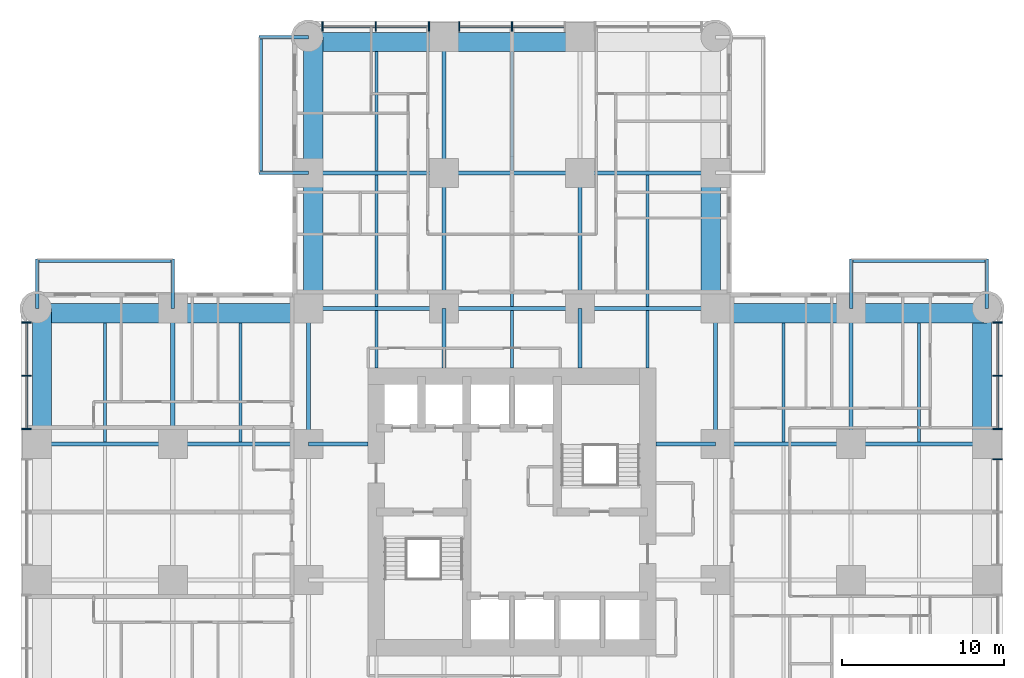
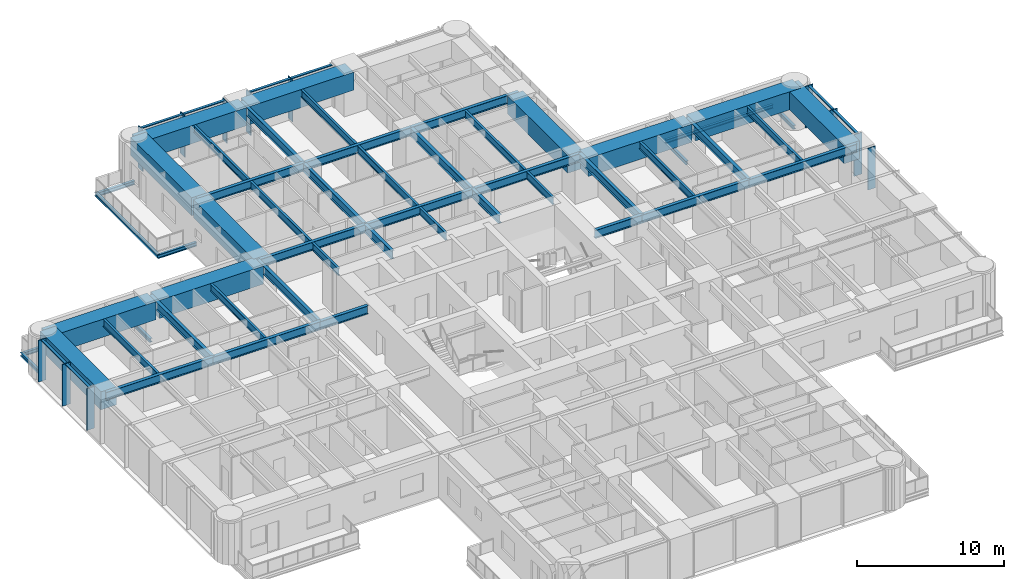
# One storey, part 4 of 17: 53 beams, 20 members, 3 elements without a shape of their own.
"""IFC4 building model written with IfcOpenShell, lengths in metres."""

from ifc_helpers import new_model, si_unit, direction, frame, origin, origin_2d, place, context, subcontext, project, spatial, rectangle, i_section, extrude, material, material_profile, profile_set, type_object, element, aggregate, save


model = new_model("IFC4")

# Units and contexts
model_context = context("Model", 3, precision=1e-05, world=origin(), true_north=direction((0.0, 1.0)))
body_context = subcontext(model_context, "Body", "Model", "MODEL_VIEW")
ifc_project = project(units=[si_unit("LENGTHUNIT", "METRE"), si_unit("AREAUNIT", "SQUARE_METRE"), si_unit("VOLUMEUNIT", "CUBIC_METRE"), si_unit("PLANEANGLEUNIT", "RADIAN"), si_unit("MASSUNIT", "GRAM", prefix="KILO")], contexts=[model_context])

# Site, building, storey
site_placement = place(None, origin())
site = spatial("IfcSite", under=ifc_project, at=site_placement, CompositionType="ELEMENT")
building_placement = place(site_placement, origin())
building = spatial("IfcBuilding", under=site, at=building_placement, Name="Torre Alcanfor", CompositionType="ELEMENT")
storey_placement = place(building_placement, frame((0.0, 0.0, 81.300048828125)))
storey = spatial("IfcBuildingStorey", under=building, at=storey_placement, Name="L20", CompositionType="ELEMENT", Elevation=81.300048828125)

# Beams
ifc_material_1 = material(Name="Steel ASTM A992 Grade 50", Category="steel")
ifc_material_profile_1 = material_profile(ifc_material_1, i_section(OverallWidth=0.205322265625, OverallDepth=0.309814453125, WebThickness=0.00927734375, FlangeThickness=0.016357421875, at=origin_2d()), Name="W12x50")
ifc_profile_set_1 = profile_set([ifc_material_profile_1], Name="Steel ASTM A992 Grade 50")
beam_type_1 = type_object("IfcBeamType", Name="Balcony cantilever beam W12x50", PredefinedType="BEAM", material=ifc_profile_set_1)
for number, where, z_axis, x_axis, name in (
    (1, (16.800048828125, 50.39990234375, -0.35498046875), (-1.0, 0.0, 0.0), (0.0, -1.0, 0.0), "Balcony cantilever beam L20-N1 1"),
    (2, (16.800048828125, 58.800048828125, -0.35498046875), (-1.0, 0.0, 0.0), (0.0, -1.0, 0.0), "Balcony cantilever beam L20-N1 2"),
    (3, (50.39990234375, 42.0, -0.35498046875), (0.0, 1.0, 0.0), (-1.0, 0.0, 0.0), "Balcony cantilever beam L20-E1 1"),
    (4, (58.800048828125, 42.0, -0.35498046875), (0.0, 1.0, 0.0), (-1.0, 0.0, 0.0), "Balcony cantilever beam L20-E1 2"),
    (5, (8.39990234375, 42.0, -0.35498046875), (0.0, 1.0, 0.0), (-1.0, 0.0, 0.0), "Balcony cantilever beam L20-W2 1"),
    (6, (0.0, 42.0, -0.35498046875), (0.0, 1.0, 0.0), (-1.0, 0.0, 0.0), "Balcony cantilever beam L20-W2 2"),
):
    element("IfcBeam", number, at=place(storey_placement, frame(where, z_axis=z_axis, x_axis=x_axis)), inside=storey, type_object=beam_type_1, Name=name, PredefinedType="BEAM", context=body_context, shape_type="SweptSolid", body=[
        extrude(i_section(OverallWidth=0.205322265625, OverallDepth=0.309814453125, WebThickness=0.00927734375, FlangeThickness=0.016357421875, at=origin_2d()), origin(), (0.0, 0.0, 1.0), 3.050048828125),
    ])
ifc_material_2 = material(Name="Steel ASTM A992 Grade 50", Category="steel")
ifc_material_profile_2 = material_profile(ifc_material_2, i_section(OverallWidth=0.203369140625, OverallDepth=0.30224609375, WebThickness=0.007568359375, FlangeThickness=0.01318359375, at=origin_2d()), Name="W12x40")
ifc_profile_set_2 = profile_set([ifc_material_profile_2], Name="Steel ASTM A992 Grade 50")
beam_type_2 = type_object("IfcBeamType", Name="Balcony edge trimmer W12x40", PredefinedType="BEAM", material=ifc_profile_set_2)
for number, where, z_axis, x_axis, name in (
    (7, (13.851806640625, 50.39990234375, -0.35107421875), (0.0, 1.0, 0.0), (-1.0, 0.0, 0.0), "Balcony edge trimmer L20-N1"),
    (8, (50.39990234375, 44.9482421875, -0.35107421875), (1.0, 0.0, 0.0), (0.0, 1.0, 0.0), "Balcony edge trimmer L20-E1"),
):
    element("IfcBeam", number, at=place(storey_placement, frame(where, z_axis=z_axis, x_axis=x_axis)), inside=storey, type_object=beam_type_2, Name=name, PredefinedType="BEAM", context=body_context, shape_type="SweptSolid", body=[
        extrude(i_section(OverallWidth=0.203369140625, OverallDepth=0.30224609375, WebThickness=0.007568359375, FlangeThickness=0.01318359375, at=origin_2d()), origin(), (0.0, 0.0, 1.0), 8.400146484375),
    ])
beam_1_placement = place(storey_placement, frame((8.39990234375, 44.9482421875, -0.35107421875), z_axis=(-1.0, 0.0, 0.0), x_axis=(0.0, -1.0, 0.0)))
element("IfcBeam", 9, at=beam_1_placement, inside=storey, type_object=beam_type_2, Name="Balcony edge trimmer L20-W2", PredefinedType="BEAM", context=body_context, shape_type="SweptSolid", body=[
    extrude(i_section(OverallWidth=0.203369140625, OverallDepth=0.30224609375, WebThickness=0.007568359375, FlangeThickness=0.01318359375, at=origin_2d()), origin(), (0.0, 0.0, 1.0), 8.39990234375),
])

# Curtain wall, members
ifc_material_3 = material(Name="Aluminium and glass", Category="aluminium")
curtain_wall_type = type_object("IfcCurtainWallType", Name="CW-A unitised apartment glazing with vertical FIN", PredefinedType="NOTDEFINED", material=ifc_material_3)
curtain_wall_1_placement = place(storey_placement, origin())
curtain_wall_1 = element("IfcCurtainWall", 10, at=curtain_wall_1_placement, inside=storey, type_object=curtain_wall_type, Name="Curtain wall CW-A L20 2", PredefinedType="NOTDEFINED")
ifc_material_4 = material(Name="Bronze anodised aluminium", Category="aluminium")
ifc_material_profile_3 = material_profile(ifc_material_4, rectangle(XDim=0.60009765625, YDim=0.06494140625, at=origin_2d()), Name="CW-A mullion 65x600")
ifc_profile_set_3 = profile_set([ifc_material_profile_3], Name="Bronze anodised aluminium")
member_type_1 = type_object("IfcMemberType", Name="CW-A mullion with vertical FIN 65x600", PredefinedType="MULLION", material=ifc_profile_set_3)
member_1_placement = place(storey_placement, frame((-0.64990234375, 41.133056640625, 0.0), z_axis=(0.0, 0.0, 1.0), x_axis=(1.0, 0.0, 0.0)))
member_1 = element("IfcMember", 11, at=member_1_placement, type_object=member_type_1, Name="CW-A mullion 1.1", PredefinedType="MULLION", context=body_context, shape_type="SweptSolid", body=[
    extrude(rectangle(XDim=0.60009765625, YDim=0.06494140625, at=origin_2d()), origin(), (0.0, 0.0, 1.0), 3.449951171875),
])
member_2_placement = place(storey_placement, frame((-0.64990234375, 37.835205078125, 0.0), z_axis=(0.0, 0.0, 1.0), x_axis=(1.0, 0.0, 0.0)))
member_2 = element("IfcMember", 12, at=member_2_placement, type_object=member_type_1, Name="CW-A mullion 1.2", PredefinedType="MULLION", context=body_context, shape_type="SweptSolid", body=[
    extrude(rectangle(XDim=0.60009765625, YDim=0.06494140625, at=origin_2d()), origin(), (0.0, 0.0, 1.0), 3.449951171875),
])
member_3_placement = place(storey_placement, frame((-0.64990234375, 34.53759765625, 0.0), z_axis=(0.0, 0.0, 1.0), x_axis=(1.0, 0.0, 0.0)))
member_3 = element("IfcMember", 13, at=member_3_placement, type_object=member_type_1, Name="CW-A mullion 1.3", PredefinedType="MULLION", context=body_context, shape_type="SweptSolid", body=[
    extrude(rectangle(XDim=0.60009765625, YDim=0.06494140625, at=origin_2d()), origin(), (0.0, 0.0, 1.0), 3.449951171875),
])

curtain_wall_2_placement = place(storey_placement, origin())
curtain_wall_2 = element("IfcCurtainWall", 14, at=curtain_wall_2_placement, inside=storey, type_object=curtain_wall_type, Name="Curtain wall CW-A L20 8", PredefinedType="NOTDEFINED")
member_4_placement = place(storey_placement, frame((59.449951171875, 32.66259765625, 0.0), z_axis=(0.0, 0.0, 1.0), x_axis=(-1.0, 0.0, 0.0)))
member_4 = element("IfcMember", 15, at=member_4_placement, type_object=member_type_1, Name="CW-A mullion 2.3", PredefinedType="MULLION", context=body_context, shape_type="SweptSolid", body=[
    extrude(rectangle(XDim=0.60009765625, YDim=0.06494140625, at=origin_2d()), origin(), (0.0, 0.0, 1.0), 3.449951171875),
])
member_5_placement = place(storey_placement, frame((59.449951171875, 34.53759765625, 0.0), z_axis=(0.0, 0.0, 1.0), x_axis=(-1.0, 0.0, 0.0)))
member_5 = element("IfcMember", 16, at=member_5_placement, type_object=member_type_1, Name="CW-A mullion 3.1", PredefinedType="MULLION", context=body_context, shape_type="SweptSolid", body=[
    extrude(rectangle(XDim=0.60009765625, YDim=0.06494140625, at=origin_2d()), origin(), (0.0, 0.0, 1.0), 3.449951171875),
])
member_6_placement = place(storey_placement, frame((59.449951171875, 37.835205078125, 0.0), z_axis=(0.0, 0.0, 1.0), x_axis=(-1.0, 0.0, 0.0)))
member_6 = element("IfcMember", 17, at=member_6_placement, type_object=member_type_1, Name="CW-A mullion 3.2", PredefinedType="MULLION", context=body_context, shape_type="SweptSolid", body=[
    extrude(rectangle(XDim=0.60009765625, YDim=0.06494140625, at=origin_2d()), origin(), (0.0, 0.0, 1.0), 3.449951171875),
])
member_7_placement = place(storey_placement, frame((59.449951171875, 41.133056640625, 0.0), z_axis=(0.0, 0.0, 1.0), x_axis=(-1.0, 0.0, 0.0)))
member_7 = element("IfcMember", 18, at=member_7_placement, type_object=member_type_1, Name="CW-A mullion 3.3", PredefinedType="MULLION", context=body_context, shape_type="SweptSolid", body=[
    extrude(rectangle(XDim=0.60009765625, YDim=0.06494140625, at=origin_2d()), origin(), (0.0, 0.0, 1.0), 3.449951171875),
])

curtain_wall_3_placement = place(storey_placement, origin())
curtain_wall_3 = element("IfcCurtainWall", 19, at=curtain_wall_3_placement, inside=storey, type_object=curtain_wall_type, Name="Curtain wall CW-A L20 11", PredefinedType="NOTDEFINED")
member_8_placement = place(storey_placement, frame((29.39990234375, 59.449951171875, 0.0), z_axis=(0.0, 0.0, 1.0), x_axis=(0.0, -1.0, 0.0)))
member_8 = element("IfcMember", 20, at=member_8_placement, type_object=member_type_1, Name="CW-A mullion 2.2", PredefinedType="MULLION", context=body_context, shape_type="SweptSolid", body=[
    extrude(rectangle(XDim=0.60009765625, YDim=0.06494140625, at=origin_2d()), origin(), (0.0, 0.0, 1.0), 3.449951171875),
])
member_9_placement = place(storey_placement, frame((26.137451171875, 59.449951171875, 0.0), z_axis=(0.0, 0.0, 1.0), x_axis=(0.0, -1.0, 0.0)))
member_9 = element("IfcMember", 21, at=member_9_placement, type_object=member_type_1, Name="CW-A mullion 2.3", PredefinedType="MULLION", context=body_context, shape_type="SweptSolid", body=[
    extrude(rectangle(XDim=0.60009765625, YDim=0.06494140625, at=origin_2d()), origin(), (0.0, 0.0, 1.0), 3.449951171875),
])
member_10_placement = place(storey_placement, frame((24.262451171875, 59.449951171875, 0.0), z_axis=(0.0, 0.0, 1.0), x_axis=(0.0, -1.0, 0.0)))
member_10 = element("IfcMember", 22, at=member_10_placement, type_object=member_type_1, Name="CW-A mullion 3.1", PredefinedType="MULLION", context=body_context, shape_type="SweptSolid", body=[
    extrude(rectangle(XDim=0.60009765625, YDim=0.06494140625, at=origin_2d()), origin(), (0.0, 0.0, 1.0), 3.449951171875),
])
member_11_placement = place(storey_placement, frame((20.96484375, 59.449951171875, 0.0), z_axis=(0.0, 0.0, 1.0), x_axis=(0.0, -1.0, 0.0)))
member_11 = element("IfcMember", 23, at=member_11_placement, type_object=member_type_1, Name="CW-A mullion 3.2", PredefinedType="MULLION", context=body_context, shape_type="SweptSolid", body=[
    extrude(rectangle(XDim=0.60009765625, YDim=0.06494140625, at=origin_2d()), origin(), (0.0, 0.0, 1.0), 3.449951171875),
])
member_12_placement = place(storey_placement, frame((17.6669921875, 59.449951171875, 0.0), z_axis=(0.0, 0.0, 1.0), x_axis=(0.0, -1.0, 0.0)))
member_12 = element("IfcMember", 24, at=member_12_placement, type_object=member_type_1, Name="CW-A mullion 3.3", PredefinedType="MULLION", context=body_context, shape_type="SweptSolid", body=[
    extrude(rectangle(XDim=0.60009765625, YDim=0.06494140625, at=origin_2d()), origin(), (0.0, 0.0, 1.0), 3.449951171875),
])

# Member
ifc_material_5 = material(Name="Extruded aluminium", Category="aluminium")
ifc_material_profile_4 = material_profile(ifc_material_5, rectangle(XDim=0.199951171875, YDim=0.06494140625, at=origin_2d()), Name="CW-A transom 200x65")
ifc_profile_set_4 = profile_set([ifc_material_profile_4], Name="Extruded aluminium")
member_type_2 = type_object("IfcMemberType", Name="CW-A transom 65x200", PredefinedType="USERDEFINED", material=ifc_profile_set_4)
member_13_placement = place(storey_placement, frame((-0.64990234375, 41.1005859375, 3.41748046875), z_axis=(0.0, -1.0, 0.0), x_axis=(1.0, 0.0, 0.0)))
member_13 = element("IfcMember", 25, at=member_13_placement, type_object=member_type_2, Name="CW-A transom 1.1.2", ObjectType="TRANSOM", PredefinedType="USERDEFINED", context=body_context, shape_type="SweptSolid", body=[
    extrude(rectangle(XDim=0.199951171875, YDim=0.06494140625, at=origin_2d()), origin(), (0.0, 0.0, 1.0), 3.23291015625),
])

member_14_placement = place(storey_placement, frame((-0.64990234375, 37.802734375, 3.41748046875), z_axis=(0.0, -1.0, 0.0), x_axis=(1.0, 0.0, 0.0)))
member_14 = element("IfcMember", 26, at=member_14_placement, type_object=member_type_2, Name="CW-A transom 1.2.2", ObjectType="TRANSOM", PredefinedType="USERDEFINED", context=body_context, shape_type="SweptSolid", body=[
    extrude(rectangle(XDim=0.199951171875, YDim=0.06494140625, at=origin_2d()), origin(), (0.0, 0.0, 1.0), 3.232666015625),
])

aggregate(curtain_wall_1, [member_1, member_2, member_3, member_13, member_14])

member_15_placement = place(storey_placement, frame((59.449951171875, 34.570068359375, 3.41748046875), z_axis=(0.0, 1.0, 0.0), x_axis=(-1.0, 0.0, 0.0)))
member_15 = element("IfcMember", 27, at=member_15_placement, type_object=member_type_2, Name="CW-A transom 3.1.2", ObjectType="TRANSOM", PredefinedType="USERDEFINED", context=body_context, shape_type="SweptSolid", body=[
    extrude(rectangle(XDim=0.199951171875, YDim=0.06494140625, at=origin_2d()), origin(), (0.0, 0.0, 1.0), 3.232666015625),
])

member_16_placement = place(storey_placement, frame((59.449951171875, 37.86767578125, 3.41748046875), z_axis=(0.0, 1.0, 0.0), x_axis=(-1.0, 0.0, 0.0)))
member_16 = element("IfcMember", 28, at=member_16_placement, type_object=member_type_2, Name="CW-A transom 3.2.2", ObjectType="TRANSOM", PredefinedType="USERDEFINED", context=body_context, shape_type="SweptSolid", body=[
    extrude(rectangle(XDim=0.199951171875, YDim=0.06494140625, at=origin_2d()), origin(), (0.0, 0.0, 1.0), 3.23291015625),
])

aggregate(curtain_wall_2, [member_4, member_5, member_6, member_7, member_15, member_16])

member_17_placement = place(storey_placement, frame((32.6298828125, 59.449951171875, 3.41748046875), z_axis=(-1.0, 0.0, 0.0), x_axis=(0.0, -1.0, 0.0)))
member_17 = element("IfcMember", 29, at=member_17_placement, type_object=member_type_2, Name="CW-A transom 2.1.2", ObjectType="TRANSOM", PredefinedType="USERDEFINED", context=body_context, shape_type="SweptSolid", body=[
    extrude(rectangle(XDim=0.199951171875, YDim=0.06494140625, at=origin_2d()), origin(), (0.0, 0.0, 1.0), 3.197265625),
])

member_18_placement = place(storey_placement, frame((29.367431640625, 59.449951171875, 3.41748046875), z_axis=(-1.0, 0.0, 0.0), x_axis=(0.0, -1.0, 0.0)))
member_18 = element("IfcMember", 30, at=member_18_placement, type_object=member_type_2, Name="CW-A transom 2.2.2", ObjectType="TRANSOM", PredefinedType="USERDEFINED", context=body_context, shape_type="SweptSolid", body=[
    extrude(rectangle(XDim=0.199951171875, YDim=0.06494140625, at=origin_2d()), origin(), (0.0, 0.0, 1.0), 3.197509765625),
])

member_19_placement = place(storey_placement, frame((24.22998046875, 59.449951171875, 3.41748046875), z_axis=(-1.0, 0.0, 0.0), x_axis=(0.0, -1.0, 0.0)))
member_19 = element("IfcMember", 31, at=member_19_placement, type_object=member_type_2, Name="CW-A transom 3.1.2", ObjectType="TRANSOM", PredefinedType="USERDEFINED", context=body_context, shape_type="SweptSolid", body=[
    extrude(rectangle(XDim=0.199951171875, YDim=0.06494140625, at=origin_2d()), origin(), (0.0, 0.0, 1.0), 3.232666015625),
])

member_20_placement = place(storey_placement, frame((20.93212890625, 59.449951171875, 3.41748046875), z_axis=(-1.0, 0.0, 0.0), x_axis=(0.0, -1.0, 0.0)))
member_20 = element("IfcMember", 32, at=member_20_placement, type_object=member_type_2, Name="CW-A transom 3.2.2", ObjectType="TRANSOM", PredefinedType="USERDEFINED", context=body_context, shape_type="SweptSolid", body=[
    extrude(rectangle(XDim=0.199951171875, YDim=0.06494140625, at=origin_2d()), origin(), (0.0, 0.0, 1.0), 3.232666015625),
])

aggregate(curtain_wall_3, [member_8, member_9, member_17, member_18, member_10, member_11, member_12, member_19, member_20])

# Beams
ifc_material_6 = material(Name="Steel ASTM A992 Grade 50", Category="steel")
ifc_material_profile_5 = material_profile(ifc_material_6, i_section(OverallWidth=0.25390625, OverallDepth=0.683349609375, WebThickness=0.012451171875, FlangeThickness=0.01904296875, at=origin_2d()), Name="W27x94")
ifc_profile_set_5 = profile_set([ifc_material_profile_5], Name="Steel ASTM A992 Grade 50")
beam_type_3 = type_object("IfcBeamType", Name="Girder W27x94", PredefinedType="BEAM", material=ifc_profile_set_5)
beam_2_placement = place(storey_placement, frame((0.0, 33.60009765625, 3.1083984375), z_axis=(1.0, 0.0, 0.0), x_axis=(0.0, 1.0, 0.0)))
element("IfcBeam", 33, at=beam_2_placement, inside=storey, type_object=beam_type_3, Name="Beam 1G-2G under L21", PredefinedType="BEAM", context=body_context, shape_type="SweptSolid", body=[
    extrude(i_section(OverallWidth=0.25390625, OverallDepth=0.683349609375, WebThickness=0.012451171875, FlangeThickness=0.01904296875, at=origin_2d()), origin(), (0.0, 0.0, 1.0), 8.39990234375),
])
beam_3_placement = place(storey_placement, frame((8.39990234375, 33.60009765625, 3.1083984375), z_axis=(1.0, 0.0, 0.0), x_axis=(0.0, 1.0, 0.0)))
element("IfcBeam", 34, at=beam_3_placement, inside=storey, type_object=beam_type_3, Name="Beam 2G-3G under L21", PredefinedType="BEAM", context=body_context, shape_type="SweptSolid", body=[
    extrude(i_section(OverallWidth=0.25390625, OverallDepth=0.683349609375, WebThickness=0.012451171875, FlangeThickness=0.01904296875, at=origin_2d()), origin(), (0.0, 0.0, 1.0), 8.400146484375),
])
beam_4_placement = place(storey_placement, frame((42.0, 33.60009765625, 3.1083984375), z_axis=(1.0, 0.0, 0.0), x_axis=(0.0, 1.0, 0.0)))
element("IfcBeam", 35, at=beam_4_placement, inside=storey, type_object=beam_type_3, Name="Beam 6G-7G under L21", PredefinedType="BEAM", context=body_context, shape_type="SweptSolid", body=[
    extrude(i_section(OverallWidth=0.25390625, OverallDepth=0.683349609375, WebThickness=0.012451171875, FlangeThickness=0.01904296875, at=origin_2d()), origin(), (0.0, 0.0, 1.0), 8.39990234375),
])
beam_5_placement = place(storey_placement, frame((50.39990234375, 33.60009765625, 3.1083984375), z_axis=(1.0, 0.0, 0.0), x_axis=(0.0, 1.0, 0.0)))
element("IfcBeam", 36, at=beam_5_placement, inside=storey, type_object=beam_type_3, Name="Beam 7G-8G under L21", PredefinedType="BEAM", context=body_context, shape_type="SweptSolid", body=[
    extrude(i_section(OverallWidth=0.25390625, OverallDepth=0.683349609375, WebThickness=0.012451171875, FlangeThickness=0.01904296875, at=origin_2d()), origin(), (0.0, 0.0, 1.0), 8.400146484375),
])
beam_6_placement = place(storey_placement, frame((16.800048828125, 42.0, 3.1083984375), z_axis=(1.0, 0.0, 0.0), x_axis=(0.0, 1.0, 0.0)))
element("IfcBeam", 37, at=beam_6_placement, inside=storey, type_object=beam_type_3, Name="Beam 3H-4H under L21", PredefinedType="BEAM", context=body_context, shape_type="SweptSolid", body=[
    extrude(i_section(OverallWidth=0.25390625, OverallDepth=0.683349609375, WebThickness=0.012451171875, FlangeThickness=0.01904296875, at=origin_2d()), origin(), (0.0, 0.0, 1.0), 8.39990234375),
])
beam_7_placement = place(storey_placement, frame((25.199951171875, 42.0, 3.1083984375), z_axis=(1.0, 0.0, 0.0), x_axis=(0.0, 1.0, 0.0)))
element("IfcBeam", 38, at=beam_7_placement, inside=storey, type_object=beam_type_3, Name="Beam 4H-5H under L21", PredefinedType="BEAM", context=body_context, shape_type="SweptSolid", body=[
    extrude(i_section(OverallWidth=0.25390625, OverallDepth=0.683349609375, WebThickness=0.012451171875, FlangeThickness=0.01904296875, at=origin_2d()), origin(), (0.0, 0.0, 1.0), 8.400146484375),
])
for number, where, z_axis, x_axis, name in (
    (39, (33.60009765625, 42.0, 3.1083984375), (1.0, 0.0, 0.0), (0.0, 1.0, 0.0), "Beam 5H-6H under L21"),
    (40, (16.800048828125, 50.39990234375, 3.1083984375), (1.0, 0.0, 0.0), (0.0, 1.0, 0.0), "Beam 3J-4J under L21"),
):
    element("IfcBeam", number, at=place(storey_placement, frame(where, z_axis=z_axis, x_axis=x_axis)), inside=storey, type_object=beam_type_3, Name=name, PredefinedType="BEAM", context=body_context, shape_type="SweptSolid", body=[
        extrude(i_section(OverallWidth=0.25390625, OverallDepth=0.683349609375, WebThickness=0.012451171875, FlangeThickness=0.01904296875, at=origin_2d()), origin(), (0.0, 0.0, 1.0), 8.39990234375),
    ])
beam_8_placement = place(storey_placement, frame((25.199951171875, 50.39990234375, 3.1083984375), z_axis=(1.0, 0.0, 0.0), x_axis=(0.0, 1.0, 0.0)))
element("IfcBeam", 41, at=beam_8_placement, inside=storey, type_object=beam_type_3, Name="Beam 4J-5J under L21", PredefinedType="BEAM", context=body_context, shape_type="SweptSolid", body=[
    extrude(i_section(OverallWidth=0.25390625, OverallDepth=0.683349609375, WebThickness=0.012451171875, FlangeThickness=0.01904296875, at=origin_2d()), origin(), (0.0, 0.0, 1.0), 8.400146484375),
])
for number, where, z_axis, x_axis, name in (
    (42, (33.60009765625, 50.39990234375, 3.1083984375), (1.0, 0.0, 0.0), (0.0, 1.0, 0.0), "Beam 5J-6J under L21"),
    (43, (8.39990234375, 33.60009765625, 3.1083984375), (0.0, 1.0, 0.0), (-1.0, 0.0, 0.0), "Beam 2G-2H under L21"),
    (44, (16.800048828125, 33.60009765625, 3.1083984375), (0.0, 1.0, 0.0), (-1.0, 0.0, 0.0), "Beam 3G-3H under L21"),
    (45, (25.199951171875, 42.0, 3.1083984375), (0.0, 1.0, 0.0), (-1.0, 0.0, 0.0), "Beam 4H-4J under L21"),
):
    element("IfcBeam", number, at=place(storey_placement, frame(where, z_axis=z_axis, x_axis=x_axis)), inside=storey, type_object=beam_type_3, Name=name, PredefinedType="BEAM", context=body_context, shape_type="SweptSolid", body=[
        extrude(i_section(OverallWidth=0.25390625, OverallDepth=0.683349609375, WebThickness=0.012451171875, FlangeThickness=0.01904296875, at=origin_2d()), origin(), (0.0, 0.0, 1.0), 8.39990234375),
    ])
beam_9_placement = place(storey_placement, frame((25.199951171875, 50.39990234375, 3.1083984375), z_axis=(0.0, 1.0, 0.0), x_axis=(-1.0, 0.0, 0.0)))
element("IfcBeam", 46, at=beam_9_placement, inside=storey, type_object=beam_type_3, Name="Beam 4J-4K under L21", PredefinedType="BEAM", context=body_context, shape_type="SweptSolid", body=[
    extrude(i_section(OverallWidth=0.25390625, OverallDepth=0.683349609375, WebThickness=0.012451171875, FlangeThickness=0.01904296875, at=origin_2d()), origin(), (0.0, 0.0, 1.0), 8.400146484375),
])
for number, where, z_axis, x_axis, name in (
    (47, (33.60009765625, 42.0, 3.1083984375), (0.0, 1.0, 0.0), (-1.0, 0.0, 0.0), "Beam 5H-5J under L21"),
    (48, (42.0, 33.60009765625, 3.1083984375), (0.0, 1.0, 0.0), (-1.0, 0.0, 0.0), "Beam 6G-6H under L21"),
    (49, (50.39990234375, 33.60009765625, 3.1083984375), (0.0, 1.0, 0.0), (-1.0, 0.0, 0.0), "Beam 7G-7H under L21"),
):
    element("IfcBeam", number, at=place(storey_placement, frame(where, z_axis=z_axis, x_axis=x_axis)), inside=storey, type_object=beam_type_3, Name=name, PredefinedType="BEAM", context=body_context, shape_type="SweptSolid", body=[
        extrude(i_section(OverallWidth=0.25390625, OverallDepth=0.683349609375, WebThickness=0.012451171875, FlangeThickness=0.01904296875, at=origin_2d()), origin(), (0.0, 0.0, 1.0), 8.39990234375),
    ])
ifc_material_7 = material(Name="Steel ASTM A992 Grade 50", Category="steel")
ifc_material_profile_6 = material_profile(ifc_material_7, i_section(OverallWidth=0.25390625, OverallDepth=0.683349609375, WebThickness=0.012451171875, FlangeThickness=0.01904296875, at=origin_2d()), Name="W27x94")
ifc_profile_set_6 = profile_set([ifc_material_profile_6], Name="Steel ASTM A992 Grade 50")
beam_type_4 = type_object("IfcBeamType", Name="Girder, part bay W27x94", PredefinedType="BEAM", material=ifc_profile_set_6)
for number, where, z_axis, x_axis, name in (
    (50, (25.199951171875, 42.0, 3.1083984375), (0.0, -1.0, 0.0), (1.0, 0.0, 0.0), "Beam 4H-438_3 under L21"),
    (51, (33.60009765625, 42.0, 3.1083984375), (0.0, -1.0, 0.0), (1.0, 0.0, 0.0), "Beam 5H-538_3 under L21"),
    (52, (16.800048828125, 33.60009765625, 3.1083984375), (1.0, 0.0, 0.0), (0.0, 1.0, 0.0), "Beam 3G-20_5G under L21"),
    (53, (42.0, 33.60009765625, 3.1083984375), (-1.0, 0.0, 0.0), (0.0, -1.0, 0.0), "Beam 6G-38_3G under L21"),
):
    element("IfcBeam", number, at=place(storey_placement, frame(where, z_axis=z_axis, x_axis=x_axis)), inside=storey, type_object=beam_type_4, Name=name, PredefinedType="BEAM", context=body_context, shape_type="SweptSolid", body=[
        extrude(i_section(OverallWidth=0.25390625, OverallDepth=0.683349609375, WebThickness=0.012451171875, FlangeThickness=0.01904296875, at=origin_2d()), origin(), (0.0, 0.0, 1.0), 3.699951171875),
    ])
ifc_material_8 = material(Name="Concrete f'c 70 MPa", Category="concrete")
ifc_material_profile_7 = material_profile(ifc_material_8, rectangle(XDim=1.199951171875, YDim=1.5, at=origin_2d()), Name="1200x1500")
ifc_profile_set_7 = profile_set([ifc_material_profile_7], Name="Concrete f'c 70 MPa")
beam_type_5 = type_object("IfcBeamType", Name="RC perimeter beam 1200x1500", PredefinedType="BEAM", material=ifc_profile_set_7)
beam_10_placement = place(storey_placement, frame((0.0, 41.699951171875, 2.699951171875), z_axis=(1.0, 0.0, 0.0), x_axis=(0.0, 1.0, 0.0)))
element("IfcBeam", 54, at=beam_10_placement, inside=storey, type_object=beam_type_5, Name="Beam 1H-2H under L21", PredefinedType="BEAM", context=body_context, shape_type="SweptSolid", body=[
    extrude(rectangle(XDim=1.199951171875, YDim=1.5, at=origin_2d()), origin(), (0.0, 0.0, 1.0), 8.27294921875),
])
for number, where, z_axis, x_axis, name in (
    (55, (8.527099609375, 41.699951171875, 2.699951171875), (1.0, 0.0, 0.0), (0.0, 1.0, 0.0), "Beam 2H-3H under L21"),
    (56, (42.126953125, 41.699951171875, 2.699951171875), (1.0, 0.0, 0.0), (0.0, 1.0, 0.0), "Beam 6H-7H under L21"),
):
    element("IfcBeam", number, at=place(storey_placement, frame(where, z_axis=z_axis, x_axis=x_axis)), inside=storey, type_object=beam_type_5, Name=name, PredefinedType="BEAM", context=body_context, shape_type="SweptSolid", body=[
        extrude(rectangle(XDim=1.199951171875, YDim=1.5, at=origin_2d()), origin(), (0.0, 0.0, 1.0), 8.14599609375),
    ])
for number, where, z_axis, x_axis, name in (
    (57, (50.527099609375, 41.699951171875, 2.699951171875), (1.0, 0.0, 0.0), (0.0, 1.0, 0.0), "Beam 7H-8H under L21"),
    (58, (16.800048828125, 58.5, 2.699951171875), (1.0, 0.0, 0.0), (0.0, 1.0, 0.0), "Beam 3K-4K under L21"),
):
    element("IfcBeam", number, at=place(storey_placement, frame(where, z_axis=z_axis, x_axis=x_axis)), inside=storey, type_object=beam_type_5, Name=name, PredefinedType="BEAM", context=body_context, shape_type="SweptSolid", body=[
        extrude(rectangle(XDim=1.199951171875, YDim=1.5, at=origin_2d()), origin(), (0.0, 0.0, 1.0), 8.27294921875),
    ])
beam_11_placement = place(storey_placement, frame((25.326904296875, 58.5, 2.699951171875), z_axis=(1.0, 0.0, 0.0), x_axis=(0.0, 1.0, 0.0)))
element("IfcBeam", 59, at=beam_11_placement, inside=storey, type_object=beam_type_5, Name="Beam 4K-5K under L21", PredefinedType="BEAM", context=body_context, shape_type="SweptSolid", body=[
    extrude(rectangle(XDim=1.199951171875, YDim=1.5, at=origin_2d()), origin(), (0.0, 0.0, 1.0), 8.14599609375),
])
beam_12_placement = place(storey_placement, frame((0.300048828125, 33.72705078125, 2.699951171875), z_axis=(0.0, 1.0, 0.0), x_axis=(-1.0, 0.0, 0.0)))
element("IfcBeam", 60, at=beam_12_placement, inside=storey, type_object=beam_type_5, Name="Beam 1G-1H under L21", PredefinedType="BEAM", context=body_context, shape_type="SweptSolid", body=[
    extrude(rectangle(XDim=1.199951171875, YDim=1.5, at=origin_2d()), origin(), (0.0, 0.0, 1.0), 8.27294921875),
])
beam_13_placement = place(storey_placement, frame((17.10009765625, 42.126953125, 2.699951171875), z_axis=(0.0, 1.0, 0.0), x_axis=(-1.0, 0.0, 0.0)))
element("IfcBeam", 61, at=beam_13_placement, inside=storey, type_object=beam_type_5, Name="Beam 3H-3J under L21", PredefinedType="BEAM", context=body_context, shape_type="SweptSolid", body=[
    extrude(rectangle(XDim=1.199951171875, YDim=1.5, at=origin_2d()), origin(), (0.0, 0.0, 1.0), 8.14599609375),
])
beam_14_placement = place(storey_placement, frame((17.10009765625, 50.527099609375, 2.699951171875), z_axis=(0.0, 1.0, 0.0), x_axis=(-1.0, 0.0, 0.0)))
element("IfcBeam", 62, at=beam_14_placement, inside=storey, type_object=beam_type_5, Name="Beam 3J-3K under L21", PredefinedType="BEAM", context=body_context, shape_type="SweptSolid", body=[
    extrude(rectangle(XDim=1.199951171875, YDim=1.5, at=origin_2d()), origin(), (0.0, 0.0, 1.0), 8.27294921875),
])
beam_15_placement = place(storey_placement, frame((41.699951171875, 42.126953125, 2.699951171875), z_axis=(0.0, 1.0, 0.0), x_axis=(-1.0, 0.0, 0.0)))
element("IfcBeam", 63, at=beam_15_placement, inside=storey, type_object=beam_type_5, Name="Beam 6H-6J under L21", PredefinedType="BEAM", context=body_context, shape_type="SweptSolid", body=[
    extrude(rectangle(XDim=1.199951171875, YDim=1.5, at=origin_2d()), origin(), (0.0, 0.0, 1.0), 8.14599609375),
])
beam_16_placement = place(storey_placement, frame((58.5, 33.72705078125, 2.699951171875), z_axis=(0.0, 1.0, 0.0), x_axis=(-1.0, 0.0, 0.0)))
element("IfcBeam", 64, at=beam_16_placement, inside=storey, type_object=beam_type_5, Name="Beam 8G-8H under L21", PredefinedType="BEAM", context=body_context, shape_type="SweptSolid", body=[
    extrude(rectangle(XDim=1.199951171875, YDim=1.5, at=origin_2d()), origin(), (0.0, 0.0, 1.0), 8.27294921875),
])
ifc_material_9 = material(Name="Steel ASTM A992 Grade 50", Category="steel")
ifc_material_profile_8 = material_profile(ifc_material_9, i_section(OverallWidth=0.1787109375, OverallDepth=0.60205078125, WebThickness=0.010986328125, FlangeThickness=0.014892578125, at=origin_2d()), Name="W24x62")
ifc_profile_set_8 = profile_set([ifc_material_profile_8], Name="Steel ASTM A992 Grade 50")
beam_type_6 = type_object("IfcBeamType", Name="Secondary beam W24x62", PredefinedType="BEAM", material=ifc_profile_set_8)
for number, where, z_axis, x_axis, name in (
    (65, (4.199951171875, 33.72705078125, 3.14892578125), (0.0, 1.0, 0.0), (-1.0, 0.0, 0.0), "Beam 4_2G-4_2H under L21"),
    (66, (12.60009765625, 33.72705078125, 3.14892578125), (0.0, 1.0, 0.0), (-1.0, 0.0, 0.0), "Beam 12_6G-12_6H under L21"),
):
    element("IfcBeam", number, at=place(storey_placement, frame(where, z_axis=z_axis, x_axis=x_axis)), inside=storey, type_object=beam_type_6, Name=name, PredefinedType="BEAM", context=body_context, shape_type="SweptSolid", body=[
        extrude(i_section(OverallWidth=0.1787109375, OverallDepth=0.60205078125, WebThickness=0.010986328125, FlangeThickness=0.014892578125, at=origin_2d()), origin(), (0.0, 0.0, 1.0), 7.373046875),
    ])
beam_17_placement = place(storey_placement, frame((21.0, 42.126953125, 3.14892578125), z_axis=(0.0, 1.0, 0.0), x_axis=(-1.0, 0.0, 0.0)))
element("IfcBeam", 67, at=beam_17_placement, inside=storey, type_object=beam_type_6, Name="Beam 21H-21J under L21", PredefinedType="BEAM", context=body_context, shape_type="SweptSolid", body=[
    extrude(i_section(OverallWidth=0.1787109375, OverallDepth=0.60205078125, WebThickness=0.010986328125, FlangeThickness=0.014892578125, at=origin_2d()), origin(), (0.0, 0.0, 1.0), 8.14599609375),
])
beam_18_placement = place(storey_placement, frame((21.0, 50.527099609375, 3.14892578125), z_axis=(0.0, 1.0, 0.0), x_axis=(-1.0, 0.0, 0.0)))
element("IfcBeam", 68, at=beam_18_placement, inside=storey, type_object=beam_type_6, Name="Beam 21J-21K under L21", PredefinedType="BEAM", context=body_context, shape_type="SweptSolid", body=[
    extrude(i_section(OverallWidth=0.1787109375, OverallDepth=0.60205078125, WebThickness=0.010986328125, FlangeThickness=0.014892578125, at=origin_2d()), origin(), (0.0, 0.0, 1.0), 7.372802734375),
])
beam_19_placement = place(storey_placement, frame((29.39990234375, 42.126953125, 3.14892578125), z_axis=(0.0, 1.0, 0.0), x_axis=(-1.0, 0.0, 0.0)))
element("IfcBeam", 69, at=beam_19_placement, inside=storey, type_object=beam_type_6, Name="Beam 29_4H-29_4J under L21", PredefinedType="BEAM", context=body_context, shape_type="SweptSolid", body=[
    extrude(i_section(OverallWidth=0.1787109375, OverallDepth=0.60205078125, WebThickness=0.010986328125, FlangeThickness=0.014892578125, at=origin_2d()), origin(), (0.0, 0.0, 1.0), 8.14599609375),
])
beam_20_placement = place(storey_placement, frame((29.39990234375, 50.527099609375, 3.14892578125), z_axis=(0.0, 1.0, 0.0), x_axis=(-1.0, 0.0, 0.0)))
element("IfcBeam", 70, at=beam_20_placement, inside=storey, type_object=beam_type_6, Name="Beam 29_4J-29_4K under L21", PredefinedType="BEAM", context=body_context, shape_type="SweptSolid", body=[
    extrude(i_section(OverallWidth=0.1787109375, OverallDepth=0.60205078125, WebThickness=0.010986328125, FlangeThickness=0.014892578125, at=origin_2d()), origin(), (0.0, 0.0, 1.0), 7.372802734375),
])
beam_21_placement = place(storey_placement, frame((37.800048828125, 42.126953125, 3.14892578125), z_axis=(0.0, 1.0, 0.0), x_axis=(-1.0, 0.0, 0.0)))
element("IfcBeam", 71, at=beam_21_placement, inside=storey, type_object=beam_type_6, Name="Beam 37_8H-37_8J under L21", PredefinedType="BEAM", context=body_context, shape_type="SweptSolid", body=[
    extrude(i_section(OverallWidth=0.1787109375, OverallDepth=0.60205078125, WebThickness=0.010986328125, FlangeThickness=0.014892578125, at=origin_2d()), origin(), (0.0, 0.0, 1.0), 8.14599609375),
])
for number, where, z_axis, x_axis, name in (
    (72, (46.199951171875, 33.72705078125, 3.14892578125), (0.0, 1.0, 0.0), (-1.0, 0.0, 0.0), "Beam 46_2G-46_2H under L21"),
    (73, (54.60009765625, 33.72705078125, 3.14892578125), (0.0, 1.0, 0.0), (-1.0, 0.0, 0.0), "Beam 54_6G-54_6H under L21"),
):
    element("IfcBeam", number, at=place(storey_placement, frame(where, z_axis=z_axis, x_axis=x_axis)), inside=storey, type_object=beam_type_6, Name=name, PredefinedType="BEAM", context=body_context, shape_type="SweptSolid", body=[
        extrude(i_section(OverallWidth=0.1787109375, OverallDepth=0.60205078125, WebThickness=0.010986328125, FlangeThickness=0.014892578125, at=origin_2d()), origin(), (0.0, 0.0, 1.0), 7.373046875),
    ])
ifc_material_10 = material(Name="Steel ASTM A992 Grade 50", Category="steel")
ifc_material_profile_9 = material_profile(ifc_material_10, i_section(OverallWidth=0.1787109375, OverallDepth=0.60205078125, WebThickness=0.010986328125, FlangeThickness=0.014892578125, at=origin_2d()), Name="W24x62")
ifc_profile_set_9 = profile_set([ifc_material_profile_9], Name="Steel ASTM A992 Grade 50")
beam_type_7 = type_object("IfcBeamType", Name="Secondary beam, part bay W24x62", PredefinedType="BEAM", material=ifc_profile_set_9)
for number, where, z_axis, x_axis, name in (
    (74, (21.0, 38.300048828125, 3.14892578125), (0.0, 1.0, 0.0), (-1.0, 0.0, 0.0), "Beam 2138_3-21H under L21"),
    (75, (29.39990234375, 38.300048828125, 3.14892578125), (0.0, 1.0, 0.0), (-1.0, 0.0, 0.0), "Beam 29_438_3-29_4H under L21"),
    (76, (37.800048828125, 38.300048828125, 3.14892578125), (0.0, 1.0, 0.0), (-1.0, 0.0, 0.0), "Beam 37_838_3-37_8H under L21"),
):
    element("IfcBeam", number, at=place(storey_placement, frame(where, z_axis=z_axis, x_axis=x_axis)), inside=storey, type_object=beam_type_7, Name=name, PredefinedType="BEAM", context=body_context, shape_type="SweptSolid", body=[
        extrude(i_section(OverallWidth=0.1787109375, OverallDepth=0.60205078125, WebThickness=0.010986328125, FlangeThickness=0.014892578125, at=origin_2d()), origin(), (0.0, 0.0, 1.0), 3.572998046875),
    ])

save(model, "model.ifc")
